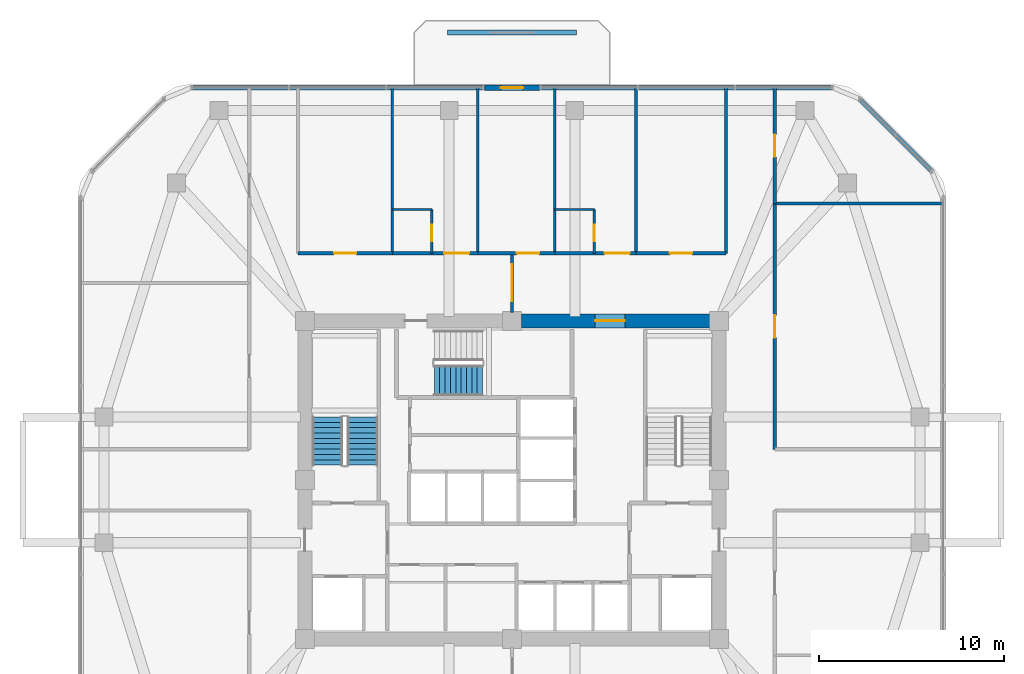
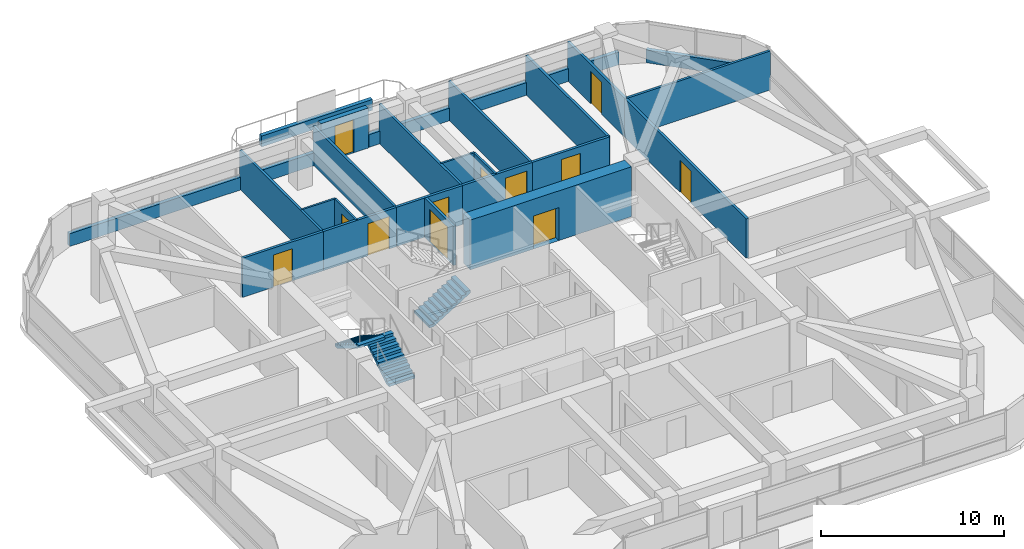
# One storey, part 9 of 12: 24 walls, 12 doors, 3 stair flights, 12 openings, 2 elements without a shape of their own.
"""IFC4 building model written with IfcOpenShell, lengths in metres."""

from ifc_helpers import new_model, si_unit, derived_unit, direction, frame, frame_2d, origin, place, context, subcontext, project, spatial, polyline, rectangle, outline, extrude, material, layer, layer_set, type_object, element, fill, aggregate, save


model = new_model("IFC4")

# Units and contexts
model_context = context("Model", 3, precision=1e-05, world=origin(), true_north=direction((0.0, 1.0)))
body_context = subcontext(model_context, "Body", "Model", "MODEL_VIEW")
ifc_project = project(units=[si_unit("LENGTHUNIT", "METRE"), si_unit("AREAUNIT", "SQUARE_METRE"), si_unit("VOLUMEUNIT", "CUBIC_METRE"), si_unit("PLANEANGLEUNIT", "RADIAN"), si_unit("MASSUNIT", "GRAM", prefix="KILO"), derived_unit("THERMALTRANSMITTANCEUNIT", [(si_unit("POWERUNIT", "WATT"), 1), (si_unit("LENGTHUNIT", "METRE"), -2), (si_unit("THERMODYNAMICTEMPERATUREUNIT", "KELVIN"), -1)])], contexts=[model_context])

# Site, building, storey
site_placement = place(None, origin())
site = spatial("IfcSite", under=ifc_project, at=site_placement, CompositionType="ELEMENT")
building_placement = place(site_placement, origin())
building = spatial("IfcBuilding", under=site, at=building_placement, Name="Koralith Skygarden Medical Center", CompositionType="ELEMENT")
storey_placement = place(building_placement, frame((0.0, 0.0, 138.419921875)))
storey = spatial("IfcBuildingStorey", under=building, at=storey_placement, Name="L35", CompositionType="ELEMENT", Elevation=138.419921875)

# Walls
ifc_material_1 = material(Name="Gypsum Board Partition")
ifc_layer_1 = layer(ifc_material_1, 0.14990234375)
ifc_layer_set_1 = layer_set([ifc_layer_1], Name="Gypsum Board Partition")
wall_type_1 = type_object("IfcWallType", Name="Clinical Acoustic Partition 150", PredefinedType="PARTITIONING", material=ifc_layer_set_1)
for number, where, z_axis, x_axis, name in (
    (1, (30.52587890625, 38.159912109375, 0.0), (0.0, 0.0, 1.0), (0.0, 1.0, 0.0), "L35 Clinical Acoustic Partition 150 W-PART-L35-N-01"),
    (2, (35.14990234375, 38.159912109375, 0.0), (0.0, 0.0, 1.0), (0.0, 1.0, 0.0), "L35 Clinical Acoustic Partition 150 W-PART-L35-N-02"),
    (3, (39.31201171875, 38.159912109375, 0.0), (0.0, 0.0, 1.0), (0.0, 1.0, 0.0), "L35 Clinical Acoustic Partition 150 W-PART-L35-N-03"),
    (4, (43.705078125, 38.159912109375, 0.0), (0.0, 0.0, 1.0), (0.0, 1.0, 0.0), "L35 Clinical Acoustic Partition 150 W-PART-L35-N-04"),
):
    element("IfcWall", number, at=place(storey_placement, frame(where, z_axis=z_axis, x_axis=x_axis)), inside=storey, type_object=wall_type_1, Name=name, PredefinedType="PARTITIONING", context=body_context, shape_type="SweptSolid", body=[
        extrude(rectangle(XDim=8.940185546875, YDim=0.14990234375, at=frame_2d((4.47021484375, 0.0))), origin(), (0.0, 0.0, 1.0), 2.610107421875),
    ])
wall_1_placement = place(storey_placement, frame((51.2099609375, 40.846923828125, 0.0), z_axis=(0.0, 0.0, 1.0), x_axis=(1.0, 0.0, 0.0)))
element("IfcWall", 5, at=wall_1_placement, inside=storey, type_object=wall_type_1, Name="L35 Clinical Acoustic Partition 150 W-PART-L35-EN-01", PredefinedType="PARTITIONING", context=body_context, shape_type="SweptSolid", body=[
    extrude(rectangle(XDim=9.073974609375, YDim=0.14990234375, at=frame_2d((4.537109375, 0.0))), origin(), (0.0, 0.0, 1.0), 2.610107421875),
])
ifc_layer_2 = layer(ifc_material_1, 0.1650390625)
ifc_layer_set_2 = layer_set([ifc_layer_2], Name="Gypsum Board Partition")
wall_type_2 = type_object("IfcWallType", Name="Clinical Corridor Partition 165", PredefinedType="PARTITIONING", material=ifc_layer_set_2)
wall_2_placement = place(storey_placement, frame((48.570068359375, 38.159912109375, 0.0), z_axis=(0.0, 0.0, 1.0), x_axis=(0.0, 1.0, 0.0)))
element("IfcWall", 6, at=wall_2_placement, inside=storey, type_object=wall_type_2, Name="L35 Clinical Corridor Partition 165 W-HCOR-L35-NE", PredefinedType="PARTITIONING", context=body_context, shape_type="SweptSolid", body=[
    extrude(rectangle(XDim=8.940185546875, YDim=0.1650390625, at=frame_2d((4.47021484375, 0.0))), origin(), (0.0, 0.0, 1.0), 2.610107421875),
])

# Wall, opening, door
wall_3_placement = place(storey_placement, frame((25.429931640625, 38.159912109375, 0.0), z_axis=(0.0, 0.0, 1.0), x_axis=(1.0, 0.0, 0.0)))
wall_3 = element("IfcWall", 7, at=wall_3_placement, inside=storey, type_object=wall_type_2, Name="L35 Clinical Corridor Partition 165 W-CORR-L35-N-01", PredefinedType="PARTITIONING", context=body_context, shape_type="SweptSolid", body=[
    extrude(rectangle(XDim=5.095947265625, YDim=0.1650390625, at=frame_2d((2.5478515625, 0.0))), origin(), (0.0, 0.0, 1.0), 2.610107421875),
])
opening_1_placement = place(wall_3_placement, frame((1.947998046875, 0.0, 0.0)))
opening_1 = element("IfcOpeningElement", 8, at=opening_1_placement, cuts=wall_3, Name="Opening D-CLN", PredefinedType="OPENING", context=body_context, shape_type="SweptSolid", body=[
    extrude(rectangle(XDim=1.199951171875, YDim=2.14990234375, at=frame_2d((0.60009765625, 1.074951171875))), frame((0.0, 0.092529296875, 0.0), z_axis=(0.0, -1.0, 0.0), x_axis=(1.0, 0.0, 0.0)), (0.0, 0.0, 1.0), 0.18505859375),
])
ifc_material_2 = material(Name="Aluminium 6063-T6", Category="aluminium")
door_type_1 = type_object("IfcDoorType", Name="Clinical Corridor Door D-CLN 1200", OperationType="NOTDEFINED", PredefinedType="DOOR", material=ifc_material_2)
door_1_placement = place(opening_1_placement, origin())
door_1 = element("IfcDoor", 9, at=door_1_placement, inside=storey, type_object=door_type_1, Name="L35 Procedure and Minor Treatment Room 01 Door", OperationType="SINGLE_SWING_RIGHT", OverallHeight=2.14990234375, OverallWidth=1.199951171875, PredefinedType="DOOR", context=body_context, shape_type="SweptSolid", body=[
    extrude(rectangle(XDim=1.199951171875, YDim=2.14990234375, at=frame_2d((0.60009765625, 1.074951171875))), frame((0.0, 0.02490234375, 0.0), z_axis=(0.0, -1.0, 0.0), x_axis=(1.0, 0.0, 0.0)), (0.0, 0.0, 1.0), 0.050048828125),
])
fill(opening_1, door_1)

wall_4_placement = place(storey_placement, frame((30.52587890625, 38.159912109375, 0.0), z_axis=(0.0, 0.0, 1.0), x_axis=(1.0, 0.0, 0.0)))
wall_4 = element("IfcWall", 10, at=wall_4_placement, inside=storey, type_object=wall_type_2, Name="L35 Clinical Corridor Partition 165 W-CORR-L35-N-02", PredefinedType="PARTITIONING", context=body_context, shape_type="SweptSolid", body=[
    extrude(rectangle(XDim=4.6240234375, YDim=0.1650390625, at=frame_2d((2.31201171875, 0.0))), origin(), (0.0, 0.0, 1.0), 2.610107421875),
])
opening_2_placement = place(wall_4_placement, frame((2.81005859375, 0.0, 0.0)))
opening_2 = element("IfcOpeningElement", 11, at=opening_2_placement, cuts=wall_4, Name="Opening D-BED", PredefinedType="OPENING", context=body_context, shape_type="SweptSolid", body=[
    extrude(rectangle(XDim=1.35009765625, YDim=2.14990234375, at=frame_2d((0.675048828125, 1.074951171875))), frame((0.0, 0.092529296875, 0.0), z_axis=(0.0, -1.0, 0.0), x_axis=(1.0, 0.0, 0.0)), (0.0, 0.0, 1.0), 0.18505859375),
])
door_type_2 = type_object("IfcDoorType", Name="Inpatient Bed Leaf Door D-BED 1350", OperationType="NOTDEFINED", PredefinedType="DOOR", material=ifc_material_2)
door_2_placement = place(opening_2_placement, origin())
door_2 = element("IfcDoor", 12, at=door_2_placement, inside=storey, type_object=door_type_2, Name="L35 Inpatient Bedroom 02 Door", OperationType="SINGLE_SWING_LEFT", OverallHeight=2.14990234375, OverallWidth=1.35009765625, PredefinedType="DOOR", context=body_context, shape_type="SweptSolid", body=[
    extrude(rectangle(XDim=1.35009765625, YDim=2.14990234375, at=frame_2d((0.675048828125, 1.074951171875))), frame((0.0, 0.02490234375, 0.0), z_axis=(0.0, -1.0, 0.0), x_axis=(1.0, 0.0, 0.0)), (0.0, 0.0, 1.0), 0.050048828125),
])
fill(opening_2, door_2)

wall_5_placement = place(storey_placement, frame((35.14990234375, 38.159912109375, 0.0), z_axis=(0.0, 0.0, 1.0), x_axis=(1.0, 0.0, 0.0)))
wall_5 = element("IfcWall", 13, at=wall_5_placement, inside=storey, type_object=wall_type_2, Name="L35 Clinical Corridor Partition 165 W-CORR-L35-N-03", PredefinedType="PARTITIONING", context=body_context, shape_type="SweptSolid", body=[
    extrude(rectangle(XDim=4.162109375, YDim=0.1650390625, at=frame_2d((2.0810546875, 0.0))), origin(), (0.0, 0.0, 1.0), 2.610107421875),
])
opening_3_placement = place(wall_5_placement, frame((2.114990234375, 0.0, 0.0)))
opening_3 = element("IfcOpeningElement", 14, at=opening_3_placement, cuts=wall_5, Name="Opening D-CLN", PredefinedType="OPENING", context=body_context, shape_type="SweptSolid", body=[
    extrude(rectangle(XDim=1.199951171875, YDim=2.14990234375, at=frame_2d((0.60009765625, 1.074951171875))), frame((0.0, 0.092529296875, 0.0), z_axis=(0.0, -1.0, 0.0), x_axis=(1.0, 0.0, 0.0)), (0.0, 0.0, 1.0), 0.18505859375),
])
door_3_placement = place(opening_3_placement, origin())
door_3 = element("IfcDoor", 15, at=door_3_placement, inside=storey, type_object=door_type_1, Name="L35 Patient and Family Sky-Garden Day Lounge 03 Door", OperationType="SINGLE_SWING_RIGHT", OverallHeight=2.14990234375, OverallWidth=1.199951171875, PredefinedType="DOOR", context=body_context, shape_type="SweptSolid", body=[
    extrude(rectangle(XDim=1.199951171875, YDim=2.14990234375, at=frame_2d((0.60009765625, 1.074951171875))), frame((0.0, 0.02490234375, 0.0), z_axis=(0.0, -1.0, 0.0), x_axis=(1.0, 0.0, 0.0)), (0.0, 0.0, 1.0), 0.050048828125),
])
fill(opening_3, door_3)

wall_6_placement = place(storey_placement, frame((39.31201171875, 38.159912109375, 0.0), z_axis=(0.0, 0.0, 1.0), x_axis=(1.0, 0.0, 0.0)))
wall_6 = element("IfcWall", 16, at=wall_6_placement, inside=storey, type_object=wall_type_2, Name="L35 Clinical Corridor Partition 165 W-CORR-L35-N-04", PredefinedType="PARTITIONING", context=body_context, shape_type="SweptSolid", body=[
    extrude(rectangle(XDim=4.39306640625, YDim=0.1650390625, at=frame_2d((2.196533203125, 0.0))), origin(), (0.0, 0.0, 1.0), 2.610107421875),
])
opening_4_placement = place(wall_6_placement, frame((2.702880859375, 0.0, 0.0)))
opening_4 = element("IfcOpeningElement", 17, at=opening_4_placement, cuts=wall_6, Name="Opening D-BED", PredefinedType="OPENING", context=body_context, shape_type="SweptSolid", body=[
    extrude(rectangle(XDim=1.35009765625, YDim=2.14990234375, at=frame_2d((0.675048828125, 1.074951171875))), frame((0.0, 0.092529296875, 0.0), z_axis=(0.0, -1.0, 0.0), x_axis=(1.0, 0.0, 0.0)), (0.0, 0.0, 1.0), 0.18505859375),
])
door_4_placement = place(opening_4_placement, origin())
door_4 = element("IfcDoor", 18, at=door_4_placement, inside=storey, type_object=door_type_2, Name="L35 Inpatient Bedroom 04 Door", OperationType="SINGLE_SWING_LEFT", OverallHeight=2.14990234375, OverallWidth=1.35009765625, PredefinedType="DOOR", context=body_context, shape_type="SweptSolid", body=[
    extrude(rectangle(XDim=1.35009765625, YDim=2.14990234375, at=frame_2d((0.675048828125, 1.074951171875))), frame((0.0, 0.02490234375, 0.0), z_axis=(0.0, -1.0, 0.0), x_axis=(1.0, 0.0, 0.0)), (0.0, 0.0, 1.0), 0.050048828125),
])
fill(opening_4, door_4)

wall_7_placement = place(storey_placement, frame((43.705078125, 38.159912109375, 0.0), z_axis=(0.0, 0.0, 1.0), x_axis=(1.0, 0.0, 0.0)))
wall_7 = element("IfcWall", 19, at=wall_7_placement, inside=storey, type_object=wall_type_2, Name="L35 Clinical Corridor Partition 165 W-CORR-L35-N-05", PredefinedType="PARTITIONING", context=body_context, shape_type="SweptSolid", body=[
    extrude(rectangle(XDim=4.864990234375, YDim=0.1650390625, at=frame_2d((2.4326171875, 0.0))), origin(), (0.0, 0.0, 1.0), 2.610107421875),
])
opening_5_placement = place(wall_7_placement, frame((1.8330078125, 0.0, 0.0)))
opening_5 = element("IfcOpeningElement", 20, at=opening_5_placement, cuts=wall_7, Name="Opening D-CLN", PredefinedType="OPENING", context=body_context, shape_type="SweptSolid", body=[
    extrude(rectangle(XDim=1.199951171875, YDim=2.14990234375, at=frame_2d((0.60009765625, 1.074951171875))), frame((0.0, 0.092529296875, 0.0), z_axis=(0.0, -1.0, 0.0), x_axis=(1.0, 0.0, 0.0)), (0.0, 0.0, 1.0), 0.18505859375),
])
door_5_placement = place(opening_5_placement, origin())
door_5 = element("IfcDoor", 21, at=door_5_placement, inside=storey, type_object=door_type_1, Name="L35 Wound Care Treatment Room 05 Door", OperationType="SINGLE_SWING_RIGHT", OverallHeight=2.14990234375, OverallWidth=1.199951171875, PredefinedType="DOOR", context=body_context, shape_type="SweptSolid", body=[
    extrude(rectangle(XDim=1.199951171875, YDim=2.14990234375, at=frame_2d((0.60009765625, 1.074951171875))), frame((0.0, 0.02490234375, 0.0), z_axis=(0.0, -1.0, 0.0), x_axis=(1.0, 0.0, 0.0)), (0.0, 0.0, 1.0), 0.050048828125),
])
fill(opening_5, door_5)

wall_8_placement = place(storey_placement, frame((51.2099609375, 27.56005859375, 0.0), z_axis=(0.0, 0.0, 1.0), x_axis=(0.0, 1.0, 0.0)))
wall_8 = element("IfcWall", 22, at=wall_8_placement, inside=storey, type_object=wall_type_2, Name="L35 Clinical Corridor Partition 165 W-CORR-L35-EN-01", PredefinedType="PARTITIONING", context=body_context, shape_type="SweptSolid", body=[
    extrude(rectangle(XDim=13.286865234375, YDim=0.1650390625, at=frame_2d((6.6435546875, 0.0))), origin(), (0.0, 0.0, 1.0), 2.610107421875),
])
opening_6_placement = place(wall_8_placement, frame((6.0439453125, 0.0, 0.0)))
opening_6 = element("IfcOpeningElement", 23, at=opening_6_placement, cuts=wall_8, Name="Opening D-CLN", PredefinedType="OPENING", context=body_context, shape_type="SweptSolid", body=[
    extrude(rectangle(XDim=1.199951171875, YDim=2.14990234375, at=frame_2d((0.60009765625, 1.074951171875))), frame((0.0, 0.092529296875, 0.0), z_axis=(0.0, -1.0, 0.0), x_axis=(1.0, 0.0, 0.0)), (0.0, 0.0, 1.0), 0.18505859375),
])
door_6_placement = place(opening_6_placement, origin())
door_6 = element("IfcDoor", 24, at=door_6_placement, inside=storey, type_object=door_type_1, Name="L35 Clinical Consultation Office 16 Door", OperationType="SINGLE_SWING_LEFT", OverallHeight=2.14990234375, OverallWidth=1.199951171875, PredefinedType="DOOR", context=body_context, shape_type="SweptSolid", body=[
    extrude(rectangle(XDim=1.199951171875, YDim=2.14990234375, at=frame_2d((0.60009765625, 1.074951171875))), frame((0.0, 0.02490234375, 0.0), z_axis=(0.0, -1.0, 0.0), x_axis=(1.0, 0.0, 0.0)), (0.0, 0.0, 1.0), 0.050048828125),
])
fill(opening_6, door_6)

wall_9_placement = place(storey_placement, frame((51.2099609375, 40.846923828125, 0.0), z_axis=(0.0, 0.0, 1.0), x_axis=(0.0, 1.0, 0.0)))
wall_9 = element("IfcWall", 25, at=wall_9_placement, inside=storey, type_object=wall_type_2, Name="L35 Clinical Corridor Partition 165 W-CORR-L35-EN-02", PredefinedType="PARTITIONING", context=body_context, shape_type="SweptSolid", body=[
    extrude(rectangle(XDim=6.253173828125, YDim=0.1650390625, at=frame_2d((3.12646484375, 0.0))), origin(), (0.0, 0.0, 1.0), 2.610107421875),
])
opening_7_placement = place(wall_9_placement, frame((2.52587890625, 0.0, 0.0)))
opening_7 = element("IfcOpeningElement", 26, at=opening_7_placement, cuts=wall_9, Name="Opening D-CLN", PredefinedType="OPENING", context=body_context, shape_type="SweptSolid", body=[
    extrude(rectangle(XDim=1.199951171875, YDim=2.14990234375, at=frame_2d((0.60009765625, 1.074951171875))), frame((0.0, 0.092529296875, 0.0), z_axis=(0.0, -1.0, 0.0), x_axis=(1.0, 0.0, 0.0)), (0.0, 0.0, 1.0), 0.18505859375),
])
door_7_placement = place(opening_7_placement, origin())
door_7 = element("IfcDoor", 27, at=door_7_placement, inside=storey, type_object=door_type_1, Name="L35 Procedure and Minor Treatment Room 17 Door", OperationType="SINGLE_SWING_RIGHT", OverallHeight=2.14990234375, OverallWidth=1.199951171875, PredefinedType="DOOR", context=body_context, shape_type="SweptSolid", body=[
    extrude(rectangle(XDim=1.199951171875, YDim=2.14990234375, at=frame_2d((0.60009765625, 1.074951171875))), frame((0.0, 0.02490234375, 0.0), z_axis=(0.0, -1.0, 0.0), x_axis=(1.0, 0.0, 0.0)), (0.0, 0.0, 1.0), 0.050048828125),
])
fill(opening_7, door_7)

ifc_layer_3 = layer(ifc_material_1, 0.179931640625)
ifc_layer_set_3 = layer_set([ifc_layer_3], Name="Gypsum Board Partition")
wall_type_3 = type_object("IfcWallType", Name="Group I-2 Smoke Barrier Wall 180", PredefinedType="PARTITIONING", material=ifc_layer_set_3)
wall_10_placement = place(storey_placement, frame((37.0, 34.949951171875, 0.0), z_axis=(0.0, 0.0, 1.0), x_axis=(0.0, 1.0, 0.0)))
wall_10 = element("IfcWall", 28, at=wall_10_placement, inside=storey, type_object=wall_type_3, Name="L35 Group I-2 Smoke Barrier Wall 180 W-SMK-L35-N", PredefinedType="PARTITIONING", context=body_context, shape_type="SweptSolid", body=[
    extrude(rectangle(XDim=3.2099609375, YDim=0.179931640625, at=frame_2d((1.60498046875, 0.0))), origin(), (0.0, 0.0, 1.0), 2.610107421875),
])
opening_8_placement = place(wall_10_placement, frame((0.60498046875, 0.0, 0.0)))
opening_8 = element("IfcOpeningElement", 29, at=opening_8_placement, cuts=wall_10, Name="Opening D-SMK", PredefinedType="OPENING", context=body_context, shape_type="SweptSolid", body=[
    extrude(rectangle(XDim=2.0, YDim=2.199951171875, at=frame_2d((1.0, 1.10009765625))), frame((0.0, 0.099853515625, 0.0), z_axis=(0.0, -1.0, 0.0), x_axis=(1.0, 0.0, 0.0)), (0.0, 0.0, 1.0), 0.199951171875),
])
ifc_material_3 = material(Name="Steel ASTM A500 Grade C", Category="steel")
door_type_3 = type_object("IfcDoorType", Name="Cross-Corridor Double Smoke Door FD60S 2000", OperationType="NOTDEFINED", PredefinedType="DOOR", material=ifc_material_3)
door_8_placement = place(opening_8_placement, origin())
door_8 = element("IfcDoor", 30, at=door_8_placement, inside=storey, type_object=door_type_3, Name="L35 N Smoke Compartment Cross-Corridor Door", OperationType="DOUBLE_DOOR_SINGLE_SWING", OverallHeight=2.199951171875, OverallWidth=2.0, PredefinedType="DOOR", context=body_context, shape_type="SweptSolid", body=[
    extrude(rectangle(XDim=2.0, YDim=2.199951171875, at=frame_2d((1.0, 1.10009765625))), frame((0.0, 0.02490234375, 0.0), z_axis=(0.0, -1.0, 0.0), x_axis=(1.0, 0.0, 0.0)), (0.0, 0.0, 1.0), 0.050048828125),
])
fill(opening_8, door_8)

# Walls
ifc_material_4 = material(Name="Warm Oolitic Limestone Cladding", Category="masonry")
ifc_layer_4 = layer(ifc_material_4, 0.239990234375)
ifc_layer_set_4 = layer_set([ifc_layer_4], Name="Warm Oolitic Limestone Cladding")
wall_type_4 = type_object("IfcWallType", Name="Limestone Spandrel Sill Backup Wall 240", PredefinedType="SOLIDWALL", material=ifc_layer_set_4)
wall_11_placement = place(storey_placement, frame((59.702880859375, 42.595947265625, 0.0), z_axis=(0.0, 0.0, 1.0), x_axis=(-0.707084777957, 0.707128783731, 0.0)))
element("IfcWall", 31, at=wall_11_placement, inside=storey, type_object=wall_type_4, Name="L35 Sill Spandrel NE", PredefinedType="SOLIDWALL", context=body_context, shape_type="SweptSolid", body=[
    extrude(rectangle(XDim=5.5478515625, YDim=0.239990234375, at=frame_2d((2.77392578125, 0.0))), origin(), (0.0, 0.0, 1.0), 0.85009765625),
])
wall_12_placement = place(storey_placement, frame((54.3291015625, 47.1201171875, 0.0), z_axis=(0.0, 0.0, 1.0), x_axis=(-1.0, 0.0, 0.0)))
element("IfcWall", 32, at=wall_12_placement, inside=storey, type_object=wall_type_4, Name="L35 Sill Spandrel N-L", PredefinedType="SOLIDWALL", context=body_context, shape_type="SweptSolid", body=[
    extrude(rectangle(XDim=15.7880859375, YDim=0.239990234375, at=frame_2d((7.89404296875, 0.0))), origin(), (0.0, 0.0, 1.0), 0.85009765625),
])
wall_13_placement = place(storey_placement, frame((35.4609375, 47.1201171875, 0.0), z_axis=(0.0, 0.0, 1.0), x_axis=(-1.0, 0.0, 0.0)))
element("IfcWall", 33, at=wall_13_placement, inside=storey, type_object=wall_type_4, Name="L35 Sill Spandrel N-R", PredefinedType="SOLIDWALL", context=body_context, shape_type="SweptSolid", body=[
    extrude(rectangle(XDim=15.7900390625, YDim=0.239990234375, at=frame_2d((7.89501953125, 0.0))), origin(), (0.0, 0.0, 1.0), 0.85009765625),
])

# Wall, opening, door
ifc_material_5 = material(Name="Concrete C70/85", Category="concrete")
ifc_layer_5 = layer(ifc_material_5, 0.75)
ifc_layer_set_5 = layer_set([ifc_layer_5], Name="Concrete C70/85")
wall_type_5 = type_object("IfcWallType", Name="Mid Core Shear Wall 750", PredefinedType="SHEAR", material=ifc_layer_set_5)
wall_14_placement = place(storey_placement, frame((47.695068359375, 34.5, 0.0), z_axis=(0.0, 0.0, 1.0), x_axis=(-1.0, 0.0, 0.0)))
wall_14 = element("IfcWall", 34, at=wall_14_placement, inside=storey, type_object=wall_type_5, Name="L35 Core Shear Wall Segment 5", PredefinedType="SHEAR", context=body_context, shape_type="SweptSolid", body=[
    extrude(rectangle(XDim=10.190185546875, YDim=0.75, at=frame_2d((5.09521484375, 0.0))), origin(), (0.0, 0.0, 1.0), 3.320068359375),
])
opening_9_placement = place(wall_14_placement, frame((4.594970703125, 0.0, 0.0)))
opening_9 = element("IfcOpeningElement", 35, at=opening_9_placement, cuts=wall_14, Name="Opening D-DBL", PredefinedType="OPENING", context=body_context, shape_type="SweptSolid", body=[
    extrude(rectangle(XDim=1.60009765625, YDim=2.199951171875, at=frame_2d((0.800048828125, 1.10009765625))), frame((0.0, 0.385009765625, 0.0), z_axis=(0.0, -1.0, 0.0), x_axis=(1.0, 0.0, 0.0)), (0.0, 0.0, 1.0), 0.77001953125),
])
door_type_4 = type_object("IfcDoorType", Name="Double Clinical Suite Door D-DBL 1600", OperationType="NOTDEFINED", PredefinedType="DOOR", material=ifc_material_2)
door_9_placement = place(opening_9_placement, frame((1.60009765625, 0.0, 0.0), z_axis=(0.0, 0.0, 1.0), x_axis=(-1.0, 0.0, 0.0)))
door_9 = element("IfcDoor", 36, at=door_9_placement, inside=storey, type_object=door_type_4, Name="L35 North-East Corridor to Elevator Lobby Door", OperationType="DOUBLE_DOOR_SINGLE_SWING", OverallHeight=2.199951171875, OverallWidth=1.60009765625, PredefinedType="DOOR", context=body_context, shape_type="SweptSolid", body=[
    extrude(rectangle(XDim=1.60009765625, YDim=2.199951171875, at=frame_2d((0.800048828125, 1.10009765625))), frame((0.0, 0.02490234375, 0.0), z_axis=(0.0, -1.0, 0.0), x_axis=(1.0, 0.0, 0.0)), (0.0, 0.0, 1.0), 0.050048828125),
])
fill(opening_9, door_9)

ifc_layer_6 = layer(ifc_material_4, 0.300048828125)
ifc_layer_set_6 = layer_set([ifc_layer_6], Name="Warm Oolitic Limestone Cladding")
wall_type_6 = type_object("IfcWallType", Name="Oolitic Limestone Insulated Facade Wall 300", PredefinedType="SOLIDWALL", material=ifc_layer_set_6)
wall_15_placement = place(storey_placement, frame((38.5009765625, 47.1201171875, 0.0), z_axis=(0.0, 0.0, 1.0), x_axis=(-1.0, 0.0, 0.0)))
wall_15 = element("IfcWall", 37, at=wall_15_placement, inside=storey, type_object=wall_type_6, Name="L35 Terrace Portal Wall N", PredefinedType="SOLIDWALL", context=body_context, shape_type="SweptSolid", body=[
    extrude(rectangle(XDim=3.0, YDim=0.300048828125, at=frame_2d((1.5, 0.0))), origin(), (0.0, 0.0, 1.0), 2.670166015625),
])
opening_10_placement = place(wall_15_placement, frame((0.89990234375, 0.0, 0.0)))
opening_10 = element("IfcOpeningElement", 38, at=opening_10_placement, cuts=wall_15, Name="Opening D-BAL", PredefinedType="OPENING", context=body_context, shape_type="SweptSolid", body=[
    extrude(rectangle(XDim=1.199951171875, YDim=2.199951171875, at=frame_2d((0.60009765625, 1.10009765625))), frame((0.0, 0.159912109375, 0.0), z_axis=(0.0, -1.0, 0.0), x_axis=(1.0, 0.0, 0.0)), (0.0, 0.0, 1.0), 0.320068359375),
])
door_type_5 = type_object("IfcDoorType", Name="Planted Balcony Glazed Terrace Door D-BAL 1200", OperationType="NOTDEFINED", PredefinedType="DOOR", material=ifc_material_2)
door_10_placement = place(opening_10_placement, origin())
door_10 = element("IfcDoor", 39, at=door_10_placement, inside=storey, type_object=door_type_5, Name="L35 N Outdoor Terrace Access Door", OperationType="SINGLE_SWING_RIGHT", OverallHeight=2.199951171875, OverallWidth=1.199951171875, PredefinedType="DOOR", context=body_context, shape_type="SweptSolid", body=[
    extrude(rectangle(XDim=1.199951171875, YDim=2.199951171875, at=frame_2d((0.60009765625, 1.10009765625))), frame((0.0, 0.02490234375, 0.0), z_axis=(0.0, -1.0, 0.0), x_axis=(1.0, 0.0, 0.0)), (0.0, 0.0, 1.0), 0.050048828125),
])
fill(opening_10, door_10)

ifc_layer_7 = layer(ifc_material_1, 0.1201171875)
ifc_layer_set_7 = layer_set([ifc_layer_7], Name="Gypsum Board Partition")
wall_type_7 = type_object("IfcWallType", Name="Plumbing Wet Wall 120", PredefinedType="PLUMBINGWALL", material=ifc_layer_set_7)
wall_16_placement = place(storey_placement, frame((32.666015625, 38.159912109375, 0.0), z_axis=(0.0, 0.0, 1.0), x_axis=(0.0, 1.0, 0.0)))
wall_16 = element("IfcWall", 40, at=wall_16_placement, inside=storey, type_object=wall_type_7, Name="L35 Plumbing Wet Wall 120 W-ENS-L35-02A", PredefinedType="PLUMBINGWALL", context=body_context, shape_type="SweptSolid", body=[
    extrude(rectangle(XDim=2.360107421875, YDim=0.1201171875, at=frame_2d((1.18017578125, 0.0))), origin(), (0.0, 0.0, 1.0), 2.610107421875),
])
opening_11_placement = place(wall_16_placement, frame((0.64990234375, 0.0, 0.0)))
opening_11 = element("IfcOpeningElement", 41, at=opening_11_placement, cuts=wall_16, Name="Opening D-ENS", PredefinedType="OPENING", context=body_context, shape_type="SweptSolid", body=[
    extrude(rectangle(XDim=0.89990234375, YDim=2.10009765625, at=frame_2d((0.449951171875, 1.050048828125))), frame((0.0, 0.070068359375, 0.0), z_axis=(0.0, -1.0, 0.0), x_axis=(1.0, 0.0, 0.0)), (0.0, 0.0, 1.0), 0.14013671875),
])
door_type_6 = type_object("IfcDoorType", Name="En-Suite Bathroom Door D-ENS 900", OperationType="NOTDEFINED", PredefinedType="DOOR", material=ifc_material_2)
door_11_placement = place(opening_11_placement, frame((0.89990234375, 0.0, 0.0), z_axis=(0.0, 0.0, 1.0), x_axis=(-1.0, 0.0, 0.0)))
door_11 = element("IfcDoor", 42, at=door_11_placement, inside=storey, type_object=door_type_6, Name="L35 En-Suite 02 Door", OperationType="SINGLE_SWING_LEFT", OverallHeight=2.10009765625, OverallWidth=0.89990234375, PredefinedType="DOOR", context=body_context, shape_type="SweptSolid", body=[
    extrude(rectangle(XDim=0.89990234375, YDim=2.10009765625, at=frame_2d((0.449951171875, 1.050048828125))), frame((0.0, 0.02490234375, 0.0), z_axis=(0.0, -1.0, 0.0), x_axis=(1.0, 0.0, 0.0)), (0.0, 0.0, 1.0), 0.050048828125),
])
fill(opening_11, door_11)

# Wall
wall_17_placement = place(storey_placement, frame((30.52587890625, 40.52001953125, 0.0), z_axis=(0.0, 0.0, 1.0), x_axis=(1.0, 0.0, 0.0)))
element("IfcWall", 43, at=wall_17_placement, inside=storey, type_object=wall_type_7, Name="L35 Plumbing Wet Wall 120 W-ENS-L35-02B", PredefinedType="PLUMBINGWALL", context=body_context, shape_type="SweptSolid", body=[
    extrude(rectangle(XDim=2.14013671875, YDim=0.1201171875, at=frame_2d((1.070068359375, 0.0))), origin(), (0.0, 0.0, 1.0), 2.610107421875),
])

# Wall, opening, door
wall_18_placement = place(storey_placement, frame((41.451904296875, 38.159912109375, 0.0), z_axis=(0.0, 0.0, 1.0), x_axis=(0.0, 1.0, 0.0)))
wall_18 = element("IfcWall", 44, at=wall_18_placement, inside=storey, type_object=wall_type_7, Name="L35 Plumbing Wet Wall 120 W-ENS-L35-04A", PredefinedType="PLUMBINGWALL", context=body_context, shape_type="SweptSolid", body=[
    extrude(rectangle(XDim=2.360107421875, YDim=0.1201171875, at=frame_2d((1.18017578125, 0.0))), origin(), (0.0, 0.0, 1.0), 2.610107421875),
])
opening_12_placement = place(wall_18_placement, frame((0.64990234375, 0.0, 0.0)))
opening_12 = element("IfcOpeningElement", 45, at=opening_12_placement, cuts=wall_18, Name="Opening D-ENS", PredefinedType="OPENING", context=body_context, shape_type="SweptSolid", body=[
    extrude(rectangle(XDim=0.89990234375, YDim=2.10009765625, at=frame_2d((0.449951171875, 1.050048828125))), frame((0.0, 0.070068359375, 0.0), z_axis=(0.0, -1.0, 0.0), x_axis=(1.0, 0.0, 0.0)), (0.0, 0.0, 1.0), 0.14013671875),
])
door_12_placement = place(opening_12_placement, frame((0.89990234375, 0.0, 0.0), z_axis=(0.0, 0.0, 1.0), x_axis=(-1.0, 0.0, 0.0)))
door_12 = element("IfcDoor", 46, at=door_12_placement, inside=storey, type_object=door_type_6, Name="L35 En-Suite 04 Door", OperationType="SINGLE_SWING_LEFT", OverallHeight=2.10009765625, OverallWidth=0.89990234375, PredefinedType="DOOR", context=body_context, shape_type="SweptSolid", body=[
    extrude(rectangle(XDim=0.89990234375, YDim=2.10009765625, at=frame_2d((0.449951171875, 1.050048828125))), frame((0.0, 0.02490234375, 0.0), z_axis=(0.0, -1.0, 0.0), x_axis=(1.0, 0.0, 0.0)), (0.0, 0.0, 1.0), 0.050048828125),
])
fill(opening_12, door_12)

# Walls
wall_19_placement = place(storey_placement, frame((39.31201171875, 40.52001953125, 0.0), z_axis=(0.0, 0.0, 1.0), x_axis=(1.0, 0.0, 0.0)))
element("IfcWall", 47, at=wall_19_placement, inside=storey, type_object=wall_type_7, Name="L35 Plumbing Wet Wall 120 W-ENS-L35-04B", PredefinedType="PLUMBINGWALL", context=body_context, shape_type="SweptSolid", body=[
    extrude(rectangle(XDim=2.139892578125, YDim=0.1201171875, at=frame_2d((1.06982421875, 0.0))), origin(), (0.0, 0.0, 1.0), 2.610107421875),
])
ifc_material_6 = material(Name="Precast concrete C40/50", Category="concrete")
ifc_layer_8 = layer(ifc_material_6, 0.25)
ifc_layer_set_8 = layer_set([ifc_layer_8], Name="Precast concrete C40/50")
wall_type_8 = type_object("IfcWallType", Name="Structural Concrete Balcony Planter Kerb 250", PredefinedType="PARAPET", material=ifc_layer_set_8)
wall_20_placement = place(storey_placement, frame((33.5, 50.10009765625, 0.0), z_axis=(0.0, 0.0, 1.0), x_axis=(1.0, 0.0, 0.0)))
element("IfcWall", 48, at=wall_20_placement, inside=storey, type_object=wall_type_8, Name="L35 N Structural Tree PLANTER Box", PredefinedType="PARAPET", context=body_context, shape_type="SweptSolid", body=[
    extrude(rectangle(XDim=7.0, YDim=0.25, at=frame_2d((3.5, 0.0))), origin(), (0.0, 0.0, 1.0), 0.719970703125),
])

# Stair, stair flights
ifc_material_7 = material(Name="Concrete C45/55", Category="concrete")
stair_type = type_object("IfcStairType", Name="Core Exit Dogleg Concrete Stair", PredefinedType="HALF_TURN_STAIR", material=ifc_material_7)
stair_1_placement = place(storey_placement, origin())
stair_1 = element("IfcStair", 49, at=stair_1_placement, inside=storey, type_object=stair_type, Name="L35 Smokeproof Exit Stair ST1", PredefinedType="HALF_TURN_STAIR")
stair_flight_type = type_object("IfcStairFlightType", Name="Core Exit Concrete Stair Flight 1650", PredefinedType="STRAIGHT", material=ifc_material_7)
stair_flight_1_placement = place(storey_placement, frame((28.925048828125, 26.699951171875, 0.0), z_axis=(0.0, 0.0, 1.0), x_axis=(0.0, 1.0, 0.0)))
stair_flight_1 = element("IfcStairFlight", 50, at=stair_flight_1_placement, type_object=stair_flight_type, Name="ST1 flight 1", NumberOfRisers=10, NumberOfTreads=9, PredefinedType="STRAIGHT", RiserHeight=0.18, TreadLength=0.29, context=body_context, shape_type="SweptSolid", body=[
    extrude(outline(polyline([(0.0, 0.0), (0.0, 0.179931640625), (0.2900390625, 0.179931640625), (0.2900390625, 0.360107421875), (0.580078125, 0.360107421875), (0.580078125, 0.5400390625), (0.8701171875, 0.5400390625), (0.8701171875, 0.719970703125), (1.159912109375, 0.719970703125), (1.159912109375, 0.89990234375), (1.449951171875, 0.89990234375), (1.449951171875, 1.080078125), (1.739990234375, 1.080078125), (1.739990234375, 1.260009765625), (2.030029296875, 1.260009765625), (2.030029296875, 1.43994140625), (2.320068359375, 1.43994140625), (2.320068359375, 1.6201171875), (2.610107421875, 1.6201171875), (2.610107421875, 1.800048828125), (2.610107421875, 1.443603515625), (0.2841796875, 0.0), (0.0, 0.0)])), frame((0.0, 0.824951171875, 0.0), z_axis=(0.0, -1.0, 0.0), x_axis=(1.0, 0.0, 0.0)), (0.0, 0.0, 1.0), 1.64990234375),
])
stair_flight_2_placement = place(storey_placement, frame((27.02490234375, 29.31005859375, 1.800048828125), z_axis=(0.0, 0.0, 1.0), x_axis=(0.0, -1.0, 0.0)))
stair_flight_2 = element("IfcStairFlight", 51, at=stair_flight_2_placement, type_object=stair_flight_type, Name="ST1 flight 2", NumberOfRisers=10, NumberOfTreads=9, PredefinedType="STRAIGHT", RiserHeight=0.18, TreadLength=0.29, context=body_context, shape_type="SweptSolid", body=[
    extrude(outline(polyline([(0.0, 0.0), (0.0, 0.179931640625), (0.2900390625, 0.179931640625), (0.2900390625, 0.360107421875), (0.580078125, 0.360107421875), (0.580078125, 0.5400390625), (0.8701171875, 0.5400390625), (0.8701171875, 0.719970703125), (1.159912109375, 0.719970703125), (1.159912109375, 0.89990234375), (1.449951171875, 0.89990234375), (1.449951171875, 1.080078125), (1.739990234375, 1.080078125), (1.739990234375, 1.260009765625), (2.030029296875, 1.260009765625), (2.030029296875, 1.43994140625), (2.320068359375, 1.43994140625), (2.320068359375, 1.6201171875), (2.610107421875, 1.6201171875), (2.610107421875, 1.800048828125), (2.610107421875, 1.443603515625), (0.2841796875, 0.0), (0.0, 0.0)])), frame((0.0, 0.824951171875, 0.0), z_axis=(0.0, -1.0, 0.0), x_axis=(1.0, 0.0, 0.0)), (0.0, 0.0, 1.0), 1.64990234375),
])
aggregate(stair_1, [stair_flight_1, stair_flight_2])

# Stair, stair flight
stair_2_placement = place(storey_placement, origin())
stair_2 = element("IfcStair", 52, at=stair_2_placement, inside=storey, type_object=stair_type, Name="L35 Smokeproof Exit Stair ST3", PredefinedType="HALF_TURN_STAIR")
stair_flight_3_placement = place(storey_placement, frame((32.800048828125, 31.27490234375, 0.0), z_axis=(0.0, 0.0, 1.0), x_axis=(1.0, 0.0, 0.0)))
stair_flight_3 = element("IfcStairFlight", 53, at=stair_flight_3_placement, type_object=stair_flight_type, Name="ST3 flight 1", NumberOfRisers=10, NumberOfTreads=9, PredefinedType="STRAIGHT", RiserHeight=0.18, TreadLength=0.29, context=body_context, shape_type="SweptSolid", body=[
    extrude(outline(polyline([(0.0, 0.0), (0.0, 0.179931640625), (0.2900390625, 0.179931640625), (0.2900390625, 0.360107421875), (0.580078125, 0.360107421875), (0.580078125, 0.5400390625), (0.8701171875, 0.5400390625), (0.8701171875, 0.719970703125), (1.159912109375, 0.719970703125), (1.159912109375, 0.89990234375), (1.449951171875, 0.89990234375), (1.449951171875, 1.080078125), (1.739990234375, 1.080078125), (1.739990234375, 1.260009765625), (2.030029296875, 1.260009765625), (2.030029296875, 1.43994140625), (2.320068359375, 1.43994140625), (2.320068359375, 1.6201171875), (2.610107421875, 1.6201171875), (2.610107421875, 1.800048828125), (2.610107421875, 1.443603515625), (0.2841796875, 0.0), (0.0, 0.0)])), frame((0.0, 0.824951171875, 0.0), z_axis=(0.0, -1.0, 0.0), x_axis=(1.0, 0.0, 0.0)), (0.0, 0.0, 1.0), 1.64990234375),
])
aggregate(stair_2, [stair_flight_3])

save(model, "model.ifc")
